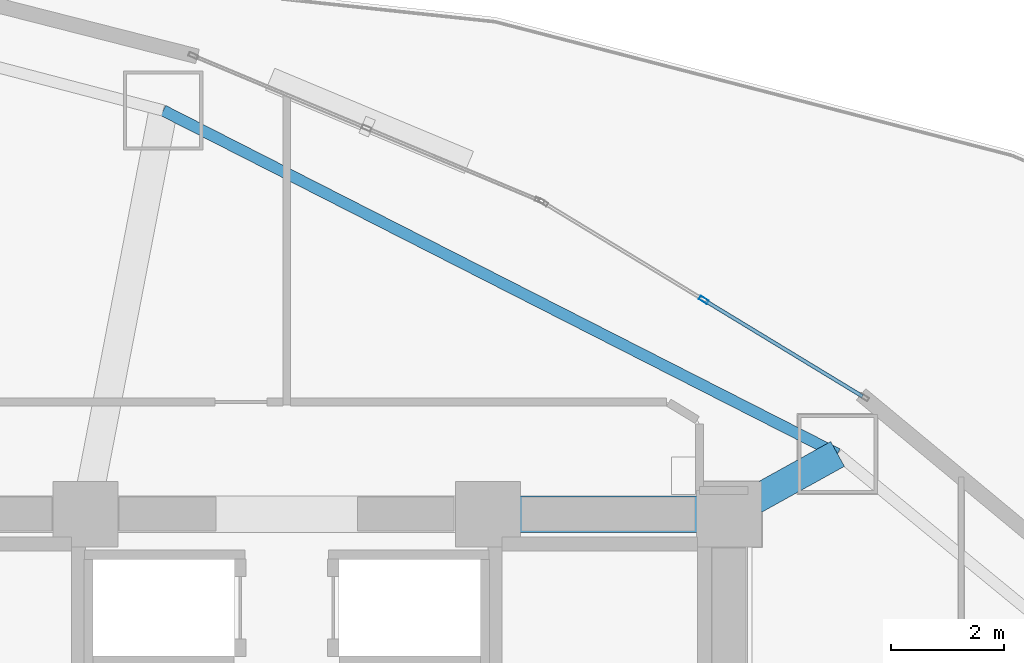
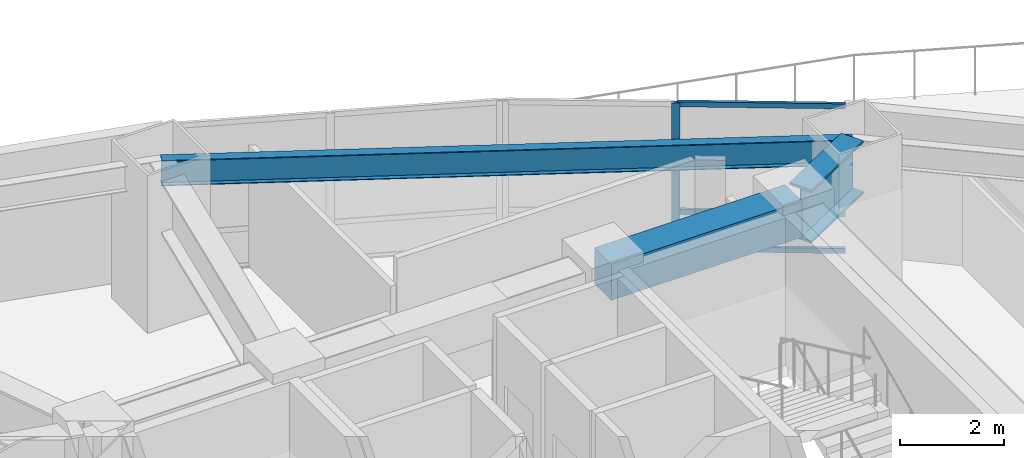
# One storey, part 10 of 19: 4 members, 3 beams, 1 element without a shape of its own.
"""IFC4 building model written with IfcOpenShell, lengths in metres."""

from ifc_helpers import new_model, si_unit, direction, frame, origin, origin_2d, place, context, subcontext, project, spatial, rectangle, hollow_rectangle, i_section, extrude, material, layer, layer_set, material_profile, profile_set, type_object, element, aggregate, save


model = new_model("IFC4")

# Units and contexts
model_context = context("Model", 3, precision=1e-05, world=origin(), true_north=direction((0.0, 1.0)))
body_context = subcontext(model_context, "Body", "Model", "MODEL_VIEW")
ifc_project = project(units=[si_unit("LENGTHUNIT", "METRE"), si_unit("AREAUNIT", "SQUARE_METRE"), si_unit("VOLUMEUNIT", "CUBIC_METRE"), si_unit("PLANEANGLEUNIT", "RADIAN"), si_unit("MASSUNIT", "GRAM", prefix="KILO")], contexts=[model_context])

# Site, building, storey
site_placement = place(None, origin())
site = spatial("IfcSite", under=ifc_project, at=site_placement, CompositionType="ELEMENT")
building_placement = place(site_placement, origin())
building = spatial("IfcBuilding", under=site, at=building_placement, Name="Menara Vayukalpa", CompositionType="ELEMENT")
storey_placement = place(building_placement, frame((0.0, 0.0, 68.52001953125)))
storey = spatial("IfcBuildingStorey", under=building, at=storey_placement, Name="L16", CompositionType="ELEMENT", Elevation=68.52001953125)

# Beams
ifc_material_1 = material(Name="Concrete C60/75", Category="concrete")
ifc_material_profile_1 = material_profile(ifc_material_1, rectangle(XDim=0.64990234375, YDim=0.85009765625, at=origin_2d()), Name="RC 650x850")
ifc_profile_set_1 = profile_set([ifc_material_profile_1], Name="Concrete C60/75")
beam_type_1 = type_object("IfcBeamType", Name="BM-CB1", PredefinedType="BEAM", material=ifc_profile_set_1)
beam_1_placement = place(storey_placement, frame((29.14990234375, 26.800048828125, 3.044921875), z_axis=(1.0, 0.0, 0.0), x_axis=(0.0, 1.0, 0.0)))
element("IfcBeam", 1, at=beam_1_placement, inside=storey, type_object=beam_type_1, Name="L16 Core Tie Beam CBR6", PredefinedType="BEAM", context=body_context, shape_type="SweptSolid", body=[
    extrude(rectangle(XDim=0.64990234375, YDim=0.85009765625, at=origin_2d()), origin(), (0.0, 0.0, 1.0), 4.25),
])
ifc_material_2 = material(Name="Steel S355", Category="steel")
ifc_material_profile_2 = material_profile(ifc_material_2, i_section(OverallWidth=0.199951171875, OverallDepth=0.60009765625, WebThickness=0.010986328125, FlangeThickness=0.01708984375, at=origin_2d()), Name="WF 600x200x11x17")
ifc_profile_set_2 = profile_set([ifc_material_profile_2], Name="Steel S355")
beam_type_2 = type_object("IfcBeamType", Name="BM-SP1", PredefinedType="SPANDREL", material=ifc_profile_set_2)
beam_2_placement = place(storey_placement, frame((35.318115234375, 27.86328125, 3.169921875), z_axis=(-0.891100743313, 0.453805536841, 0.0), x_axis=(-0.453805536841, -0.891100743313, 0.0)))
element("IfcBeam", 2, at=beam_2_placement, inside=storey, type_object=beam_type_2, Name="L16 Perimeter Spandrel Beam SP02", PredefinedType="SPANDREL", context=body_context, shape_type="SweptSolid", body=[
    extrude(i_section(OverallWidth=0.199951171875, OverallDepth=0.60009765625, WebThickness=0.010986328125, FlangeThickness=0.01708984375, at=origin_2d()), origin(), (0.0, 0.0, 1.0), 13.352783203125),
])
ifc_material_3 = material(Name="Steel S460", Category="steel")
ifc_material_profile_3 = material_profile(ifc_material_3, i_section(OverallWidth=0.5, OverallDepth=1.25, WebThickness=0.028076171875, FlangeThickness=0.054931640625, at=origin_2d()), Name="WG 1250x500x28x55")
ifc_profile_set_3 = profile_set([ifc_material_profile_3], Name="Steel S460")
beam_type_3 = type_object("IfcBeamType", Name="BM-TG2", PredefinedType="BEAM", material=ifc_profile_set_3)
beam_3_placement = place(storey_placement, frame((33.61865234375, 26.921142578125, 2.844970703125), z_axis=(0.87459548214, 0.484853320727, 0.0), x_axis=(-0.484853320727, 0.87459548214, 0.0)))
element("IfcBeam", 3, at=beam_3_placement, inside=storey, type_object=beam_type_3, Name="L16 Primary Radial Girder RG02", PredefinedType="BEAM", context=body_context, shape_type="SweptSolid", body=[
    extrude(i_section(OverallWidth=0.5, OverallDepth=1.25, WebThickness=0.028076171875, FlangeThickness=0.054931640625, at=origin_2d()), origin(), (0.0, 0.0, 1.0), 1.943115234375),
])

# Curtain wall, members
ifc_material_4 = material(Name="Anodised Terracotta Aluminium Alloy 6063-T6", Category="masonry")
ifc_layer = layer(ifc_material_4, 0.1650390625)
ifc_layer_set = layer_set([ifc_layer], Name="Anodised Terracotta Aluminium Alloy 6063-T6")
curtain_wall_type = type_object("IfcCurtainWallType", Name="CW-CW2", PredefinedType="USERDEFINED", material=ifc_layer_set)
curtain_wall_placement = place(storey_placement, origin())
curtain_wall = element("IfcCurtainWall", 4, at=curtain_wall_placement, inside=storey, type_object=curtain_wall_type, Name="L16 Low Rise Terracotta Ribbon Curtain Wall CW2 04", ObjectType="UNITISED", PredefinedType="USERDEFINED")
ifc_material_5 = material(Name="Anodised Terracotta Aluminium Alloy 6063-T6", Category="masonry")
ifc_material_profile_4 = material_profile(ifc_material_5, hollow_rectangle(XDim=0.070068359375, YDim=0.1650390625, WallThickness=0.00390625, at=origin_2d()), Name="ALU 70x165x4")
ifc_profile_set_4 = profile_set([ifc_material_profile_4], Name="Anodised Terracotta Aluminium Alloy 6063-T6")
member_type_1 = type_object("IfcMemberType", Name="CWM-CW2", PredefinedType="MULLION", material=ifc_profile_set_4)
member_1_placement = place(storey_placement, frame((32.9560546875, 30.581298828125, 0.0), z_axis=(0.0, 0.0, 1.0), x_axis=(-0.519181964377, -0.854663727945, 0.0)))
member_1 = element("IfcMember", 5, at=member_1_placement, type_object=member_type_1, Name="CW2 mullion 2", PredefinedType="MULLION", context=body_context, shape_type="SweptSolid", body=[
    extrude(hollow_rectangle(XDim=0.070068359375, YDim=0.1650390625, WallThickness=0.00390625, at=origin_2d()), origin(), (0.0, 0.0, 1.0), 3.469970703125),
])
ifc_material_6 = material(Name="Anodised Terracotta Aluminium Alloy 6063-T6", Category="masonry")
ifc_material_profile_5 = material_profile(ifc_material_6, hollow_rectangle(XDim=0.06494140625, YDim=0.1201171875, WallThickness=0.00341796875, at=origin_2d()), Name="ALU 65x120x3.5")
ifc_profile_set_5 = profile_set([ifc_material_profile_5], Name="Anodised Terracotta Aluminium Alloy 6063-T6")
member_type_2 = type_object("IfcMemberType", Name="CWT-CW2", PredefinedType="USERDEFINED", material=ifc_profile_set_5)
member_2_placement = place(storey_placement, frame((35.75732421875, 28.879638671875, 0.032470703125), z_axis=(-0.854643142641, 0.519215849851, 0.0), x_axis=(-0.519215849851, -0.854643142641, 0.0)))
member_2 = element("IfcMember", 6, at=member_2_placement, type_object=member_type_2, Name="CW2 transom 1.1", ObjectType="TRANSOM", PredefinedType="USERDEFINED", context=body_context, shape_type="SweptSolid", body=[
    extrude(hollow_rectangle(XDim=0.06494140625, YDim=0.1201171875, WallThickness=0.00341796875, at=origin_2d()), origin(), (0.0, 0.0, 1.0), 3.24267578125),
])
member_3_placement = place(storey_placement, frame((35.75732421875, 28.879638671875, 0.89990234375), z_axis=(-0.854643142641, 0.519215849851, 0.0), x_axis=(-0.519215849851, -0.854643142641, 0.0)))
member_3 = element("IfcMember", 7, at=member_3_placement, type_object=member_type_2, Name="CW2 transom 1.2", ObjectType="TRANSOM", PredefinedType="USERDEFINED", context=body_context, shape_type="SweptSolid", body=[
    extrude(hollow_rectangle(XDim=0.06494140625, YDim=0.1201171875, WallThickness=0.00341796875, at=origin_2d()), origin(), (0.0, 0.0, 1.0), 3.24267578125),
])
member_4_placement = place(storey_placement, frame((35.75732421875, 28.879638671875, 3.4375), z_axis=(-0.854643142641, 0.519215849851, 0.0), x_axis=(-0.519215849851, -0.854643142641, 0.0)))
member_4 = element("IfcMember", 8, at=member_4_placement, type_object=member_type_2, Name="CW2 transom 1.3", ObjectType="TRANSOM", PredefinedType="USERDEFINED", context=body_context, shape_type="SweptSolid", body=[
    extrude(hollow_rectangle(XDim=0.06494140625, YDim=0.1201171875, WallThickness=0.00341796875, at=origin_2d()), origin(), (0.0, 0.0, 1.0), 3.24267578125),
])
aggregate(curtain_wall, [member_1, member_2, member_3, member_4])

save(model, "model.ifc")
